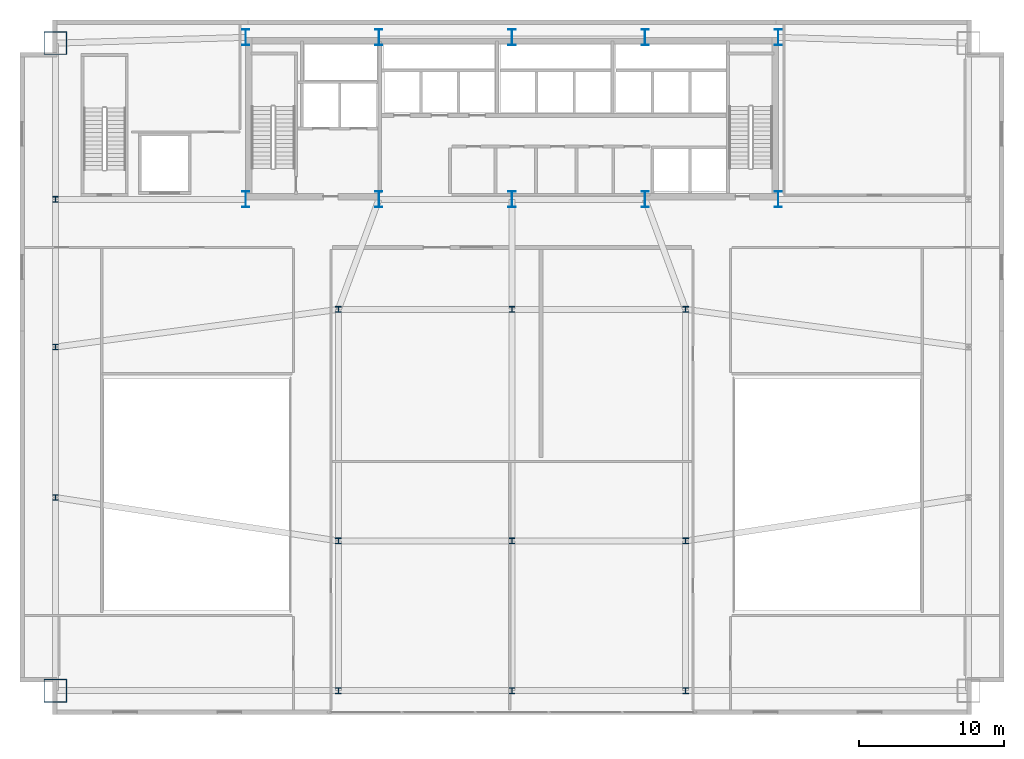
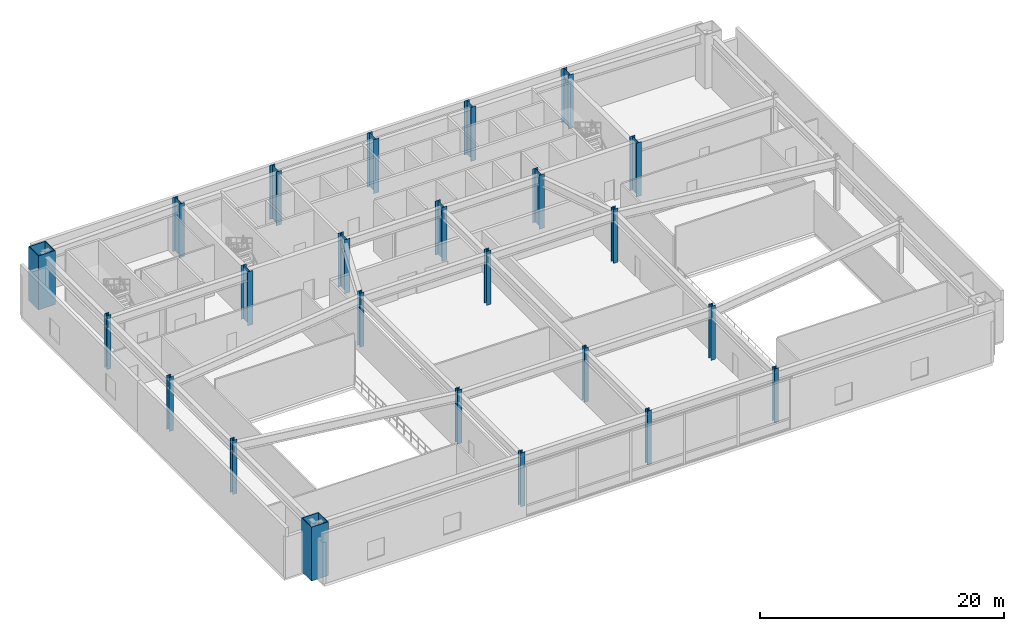
# One storey, part 1 of 13: 24 columns.
"""IFC4 building model written with IfcOpenShell, lengths in metres."""

from ifc_helpers import new_model, si_unit, direction, frame, origin, origin_2d, place, context, subcontext, project, spatial, hollow_rectangle, i_section, extrude, source, transform, mapped, material, material_profile, profile_set, type_object, type_shapes, element, save


model = new_model("IFC4")

# Units and contexts
model_context = context("Model", 3, precision=1e-05, world=origin(), true_north=direction((0.0, 1.0)))
body_context = subcontext(model_context, "Body", "Model", "MODEL_VIEW")
ifc_project = project(units=[si_unit("LENGTHUNIT", "METRE"), si_unit("AREAUNIT", "SQUARE_METRE"), si_unit("VOLUMEUNIT", "CUBIC_METRE"), si_unit("PLANEANGLEUNIT", "RADIAN"), si_unit("MASSUNIT", "GRAM", prefix="KILO")], contexts=[model_context])

# Site, building, storey
site_placement = place(None, origin())
site = spatial("IfcSite", under=ifc_project, at=site_placement, CompositionType="ELEMENT")
building_placement = place(site_placement, origin())
building = spatial("IfcBuilding", under=site, at=building_placement, Name="Varnel Quay Broadcast Tower", CompositionType="ELEMENT")
storey_placement = place(building_placement, frame((0.0, 0.0, 16.800048828125)))
storey = spatial("IfcBuildingStorey", under=building, at=storey_placement, Name="L03", CompositionType="ELEMENT", Elevation=16.800048828125)

# Columns
ifc_material_1 = material(Name="Structural Steel CSA G40.21 350WT", Category="steel")
ifc_material_profile_1 = material_profile(ifc_material_1, i_section(OverallWidth=0.5, OverallDepth=1.10009765625, WebThickness=0.01806640625, FlangeThickness=0.031982421875, FilletRadius=0.01806640625, at=origin_2d()), Name="WWF1100X418")
ifc_profile_set_1 = profile_set([ifc_material_profile_1], Name="Structural Steel CSA G40.21 350WT")
column_type_1 = type_object("IfcColumnType", Name="Col_WWF1100X418", PredefinedType="COLUMN", material=ifc_profile_set_1)
shared_shape_1 = source(origin(), body_context, "Body", "SweptSolid", [
    extrude(i_section(OverallWidth=0.5, OverallDepth=1.10009765625, WebThickness=0.01806640625, FlangeThickness=0.031982421875, FilletRadius=0.01806640625, at=origin_2d()), origin(), (0.0, 0.0, 1.0), 5.39990234375),
])
type_shapes(column_type_1, [shared_shape_1])
for number, where, z_axis, x_axis, name in (
    (1, (15.60009765625, 35.60009765625, 0.0), (0.0, 0.0, 1.0), (1.0, 0.0, 0.0), "L03 Column CC-S1"),
    (2, (15.60009765625, 46.800048828125, 0.0), (0.0, 0.0, 1.0), (1.0, 0.0, 0.0), "L03 Column CC-N1"),
    (3, (24.800048828125, 35.60009765625, 0.0), (0.0, 0.0, 1.0), (1.0, 0.0, 0.0), "L03 Column CC-S2"),
    (4, (24.800048828125, 46.800048828125, 0.0), (0.0, 0.0, 1.0), (1.0, 0.0, 0.0), "L03 Column CC-N2"),
    (5, (34.0, 35.60009765625, 0.0), (0.0, 0.0, 1.0), (1.0, 0.0, 0.0), "L03 Column CC-S3"),
    (6, (34.0, 46.800048828125, 0.0), (0.0, 0.0, 1.0), (1.0, 0.0, 0.0), "L03 Column CC-N3"),
    (7, (43.199951171875, 35.60009765625, 0.0), (0.0, 0.0, 1.0), (1.0, 0.0, 0.0), "L03 Column CC-S4"),
    (8, (43.199951171875, 46.800048828125, 0.0), (0.0, 0.0, 1.0), (1.0, 0.0, 0.0), "L03 Column CC-N4"),
    (9, (52.39990234375, 35.60009765625, 0.0), (0.0, 0.0, 1.0), (1.0, 0.0, 0.0), "L03 Column CC-S5"),
    (10, (52.39990234375, 46.800048828125, 0.0), (0.0, 0.0, 1.0), (1.0, 0.0, 0.0), "L03 Column CC-N5"),
):
    element("IfcColumn", number, at=place(storey_placement, frame(where, z_axis=z_axis, x_axis=x_axis)), inside=storey, type_object=column_type_1, Name=name, PredefinedType="COLUMN", context=body_context, shape_type="MappedRepresentation", body=[
        mapped(shared_shape_1, transform((0.0, 0.0, 0.0), x_axis=(1.0, 0.0, 0.0), y_axis=(0.0, 1.0, 0.0), z_axis=(0.0, 0.0, 1.0), scale=1.0)),
    ])
ifc_material_profile_2 = material_profile(ifc_material_1, hollow_rectangle(XDim=1.60009765625, YDim=1.60009765625, WallThickness=0.06005859375, at=origin_2d()), Name="BOX1600X1600X60")
ifc_profile_set_2 = profile_set([ifc_material_profile_2], Name="Structural Steel CSA G40.21 350WT")
column_type_2 = type_object("IfcColumnType", Name="Col_BOX1600X1600X60", PredefinedType="COLUMN", material=ifc_profile_set_2)
shared_shape_2 = source(origin(), body_context, "Body", "SweptSolid", [
    extrude(hollow_rectangle(XDim=1.60009765625, YDim=1.60009765625, WallThickness=0.06005859375, at=origin_2d()), origin(), (0.0, 0.0, 1.0), 5.39990234375),
])
type_shapes(column_type_2, [shared_shape_2])
for number, where, z_axis, x_axis, name in (
    (11, (2.449951171875, 1.64990234375, 0.0), (0.0, 0.0, 1.0), (1.0, 0.0, 0.0), "L03 Column MC-SW"),
    (12, (2.449951171875, 46.39990234375, 0.0), (0.0, 0.0, 1.0), (1.0, 0.0, 0.0), "L03 Column MC-NW"),
):
    element("IfcColumn", number, at=place(storey_placement, frame(where, z_axis=z_axis, x_axis=x_axis)), inside=storey, type_object=column_type_2, Name=name, PredefinedType="COLUMN", context=body_context, shape_type="MappedRepresentation", body=[
        mapped(shared_shape_2, transform((0.0, 0.0, 0.0), x_axis=(1.0, 0.0, 0.0), y_axis=(0.0, 1.0, 0.0), z_axis=(0.0, 0.0, 1.0), scale=1.0)),
    ])
ifc_material_2 = material(Name="Structural Steel CSA G40.21 350W", Category="steel")
ifc_material_profile_3 = material_profile(ifc_material_2, i_section(OverallWidth=0.404052734375, OverallDepth=0.406982421875, WebThickness=0.027099609375, FlangeThickness=0.043701171875, FilletRadius=0.01806640625, at=origin_2d()), Name="W360X347")
ifc_profile_set_3 = profile_set([ifc_material_profile_3], Name="Structural Steel CSA G40.21 350W")
column_type_3 = type_object("IfcColumnType", Name="Col_W360X347", PredefinedType="COLUMN", material=ifc_profile_set_3)
shared_shape_3 = source(origin(), body_context, "Body", "SweptSolid", [
    extrude(i_section(OverallWidth=0.404052734375, OverallDepth=0.406982421875, WebThickness=0.027099609375, FlangeThickness=0.043701171875, FilletRadius=0.01806640625, at=origin_2d()), origin(), (0.0, 0.0, 1.0), 5.39990234375),
])
type_shapes(column_type_3, [shared_shape_3])
for number, where, z_axis, x_axis, name in (
    (13, (22.0, 1.64990234375, 0.0), (0.0, 0.0, 1.0), (1.0, 0.0, 0.0), "L03 Column PC-01"),
    (14, (34.0, 1.64990234375, 0.0), (0.0, 0.0, 1.0), (1.0, 0.0, 0.0), "L03 Column PC-02"),
    (15, (46.0, 1.64990234375, 0.0), (0.0, 0.0, 1.0), (1.0, 0.0, 0.0), "L03 Column PC-03"),
    (16, (22.0, 12.0, 0.0), (0.0, 0.0, 1.0), (1.0, 0.0, 0.0), "L03 Column PC-04"),
    (17, (34.0, 12.0, 0.0), (0.0, 0.0, 1.0), (1.0, 0.0, 0.0), "L03 Column PC-04B"),
    (18, (46.0, 12.0, 0.0), (0.0, 0.0, 1.0), (1.0, 0.0, 0.0), "L03 Column PC-05"),
    (19, (22.0, 28.0, 0.0), (0.0, 0.0, 1.0), (1.0, 0.0, 0.0), "L03 Column PC-06"),
    (20, (34.0, 28.0, 0.0), (0.0, 0.0, 1.0), (1.0, 0.0, 0.0), "L03 Column PC-07"),
    (21, (46.0, 28.0, 0.0), (0.0, 0.0, 1.0), (1.0, 0.0, 0.0), "L03 Column PC-08"),
    (22, (2.449951171875, 15.0, 0.0), (0.0, 0.0, 1.0), (1.0, 0.0, 0.0), "L03 Column PC-09"),
    (23, (2.449951171875, 25.39990234375, 0.0), (0.0, 0.0, 1.0), (1.0, 0.0, 0.0), "L03 Column PC-10"),
    (24, (2.449951171875, 35.60009765625, 0.0), (0.0, 0.0, 1.0), (1.0, 0.0, 0.0), "L03 Column PC-11"),
):
    element("IfcColumn", number, at=place(storey_placement, frame(where, z_axis=z_axis, x_axis=x_axis)), inside=storey, type_object=column_type_3, Name=name, PredefinedType="COLUMN", context=body_context, shape_type="MappedRepresentation", body=[
        mapped(shared_shape_3, transform((0.0, 0.0, 0.0), x_axis=(1.0, 0.0, 0.0), y_axis=(0.0, 1.0, 0.0), z_axis=(0.0, 0.0, 1.0), scale=1.0)),
    ])

save(model, "model.ifc")
